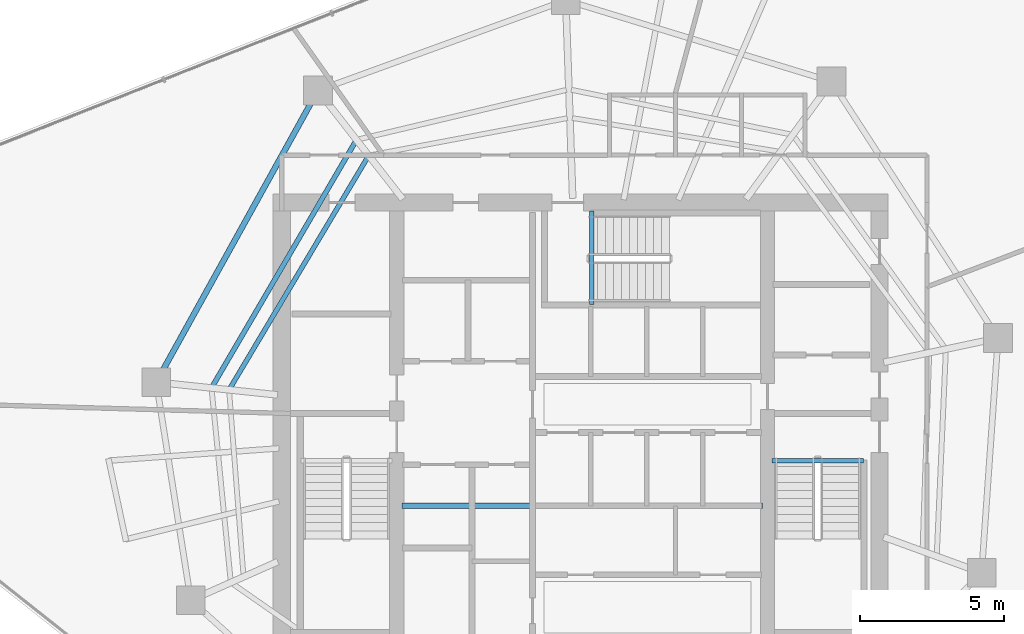
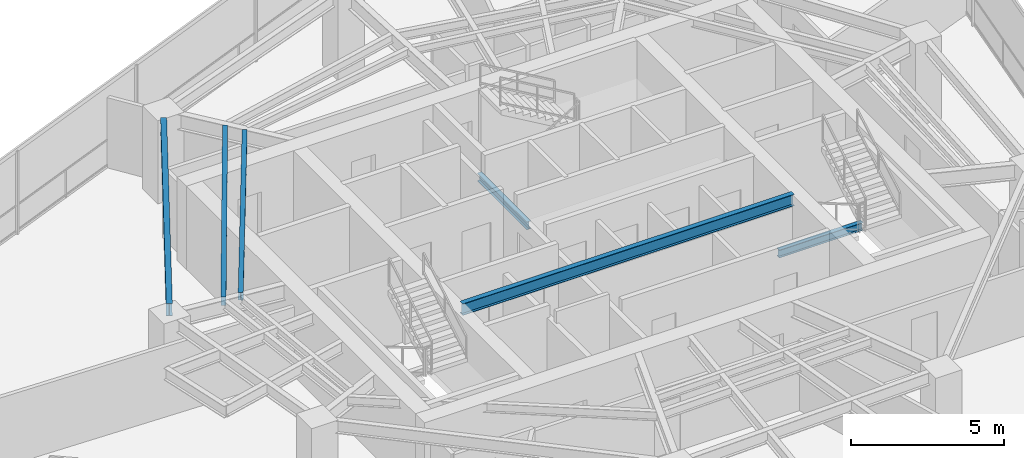
# One storey, part 6 of 20: 6 beams.
"""IFC4 building model written with IfcOpenShell, lengths in metres."""

from ifc_helpers import new_model, si_unit, direction, frame, origin, origin_2d, place, context, subcontext, project, spatial, i_section, extrude, material, material_profile, profile_set, type_object, element, save


model = new_model("IFC4")

# Units and contexts
model_context = context("Model", 3, precision=1e-05, world=origin(), true_north=direction((0.0, 1.0)))
body_context = subcontext(model_context, "Body", "Model", "MODEL_VIEW")
ifc_project = project(units=[si_unit("LENGTHUNIT", "METRE"), si_unit("AREAUNIT", "SQUARE_METRE"), si_unit("VOLUMEUNIT", "CUBIC_METRE"), si_unit("PLANEANGLEUNIT", "RADIAN"), si_unit("MASSUNIT", "GRAM", prefix="KILO")], contexts=[model_context])

# Site, building, storey
site_placement = place(None, origin())
site = spatial("IfcSite", under=ifc_project, at=site_placement, CompositionType="ELEMENT")
building_placement = place(site_placement, origin())
building = spatial("IfcBuilding", under=site, at=building_placement, Name="Qarnah Convention Tower", CompositionType="ELEMENT")
storey_placement = place(building_placement, frame((0.0, 0.0, 147.300048828125)))
storey = spatial("IfcBuildingStorey", under=building, at=storey_placement, Name="L39", CompositionType="ELEMENT", Elevation=147.300048828125)

# Beams
ifc_material = material(Name="Structural steel S355JR", Category="steel")
ifc_material_profile_1 = material_profile(ifc_material, i_section(OverallWidth=0.19189453125, OverallDepth=0.464111328125, WebThickness=0.010986328125, FlangeThickness=0.01806640625, at=origin_2d()), Name="W460X89")
ifc_profile_set_1 = profile_set([ifc_material_profile_1], Name="Structural steel S355JR")
beam_type_1 = type_object("IfcBeamType", Name="BM-CANT-W460A", PredefinedType="BEAM", material=ifc_profile_set_1)
beam_1_placement = place(storey_placement, frame((30.97998046875, 23.64990234375, 3.087890625), z_axis=(1.0, 0.0, 0.0), x_axis=(0.0, 1.0, 0.0)))
element("IfcBeam", 1, at=beam_1_placement, inside=storey, type_object=beam_type_1, Name="L39 beam BM-L39-KC1", PredefinedType="BEAM", context=body_context, shape_type="SweptSolid", body=[
    extrude(i_section(OverallWidth=0.19189453125, OverallDepth=0.464111328125, WebThickness=0.010986328125, FlangeThickness=0.01806640625, at=origin_2d()), origin(), (0.0, 0.0, 1.0), 12.5400390625),
])
ifc_material_profile_2 = material_profile(ifc_material, i_section(OverallWidth=0.166015625, OverallDepth=0.31201171875, WebThickness=0.007080078125, FlangeThickness=0.010986328125, at=origin_2d()), Name="W310X45")
ifc_profile_set_2 = profile_set([ifc_material_profile_2], Name="Structural steel S355JR")
beam_type_2 = type_object("IfcBeamType", Name="BM-JST-W310", PredefinedType="JOIST", material=ifc_profile_set_2)
beam_2_placement = place(storey_placement, frame((43.860107421875, 25.217041015625, -0.156005859375), z_axis=(1.0, 0.0, 0.0), x_axis=(0.0, 1.0, 0.0)))
element("IfcBeam", 2, at=beam_2_placement, inside=storey, type_object=beam_type_2, Name="L39 stair landing trimmer beam BM-L39-ST2-TRM", PredefinedType="BEAM", context=body_context, shape_type="SweptSolid", body=[
    extrude(i_section(OverallWidth=0.166015625, OverallDepth=0.31201171875, WebThickness=0.007080078125, FlangeThickness=0.010986328125, at=origin_2d()), origin(), (0.0, 0.0, 1.0), 3.179931640625),
])
beam_3_placement = place(storey_placement, frame((37.5830078125, 30.659912109375, -0.156005859375), z_axis=(0.0, 1.0, 0.0), x_axis=(-1.0, 0.0, 0.0)))
element("IfcBeam", 3, at=beam_3_placement, inside=storey, type_object=beam_type_2, Name="L39 stair landing trimmer beam BM-L39-ST3-TRM", PredefinedType="BEAM", context=body_context, shape_type="SweptSolid", body=[
    extrude(i_section(OverallWidth=0.166015625, OverallDepth=0.31201171875, WebThickness=0.007080078125, FlangeThickness=0.010986328125, at=origin_2d()), origin(), (0.0, 0.0, 1.0), 3.239990234375),
])
beam_4_placement = place(storey_placement, frame((29.779052734375, 35.761962890625, 3.1640625), z_axis=(-0.51201841679, -0.85897447044, 0.0), x_axis=(0.85897447044, -0.51201841679, 0.0)))
element("IfcBeam", 4, at=beam_4_placement, inside=storey, type_object=beam_type_2, Name="L39 joist BM-L39-IJST-04", PredefinedType="JOIST", context=body_context, shape_type="SweptSolid", body=[
    extrude(i_section(OverallWidth=0.166015625, OverallDepth=0.31201171875, WebThickness=0.007080078125, FlangeThickness=0.010986328125, at=origin_2d()), origin(), (0.0, 0.0, 1.0), 9.312255859375),
])
ifc_material_profile_3 = material_profile(ifc_material, i_section(OverallWidth=0.172119140625, OverallDepth=0.35595703125, WebThickness=0.007080078125, FlangeThickness=0.011962890625, at=origin_2d()), Name="W360X51")
ifc_profile_set_3 = profile_set([ifc_material_profile_3], Name="Structural steel S355JR")
beam_type_3 = type_object("IfcBeamType", Name="BM-JST-W360", PredefinedType="JOIST", material=ifc_profile_set_3)
beam_5_placement = place(storey_placement, frame((29.35400390625, 36.306884765625, 3.141845703125), z_axis=(-0.50462817984, -0.863336782554, 0.0), x_axis=(0.863336782554, -0.50462817984, 0.0)))
element("IfcBeam", 5, at=beam_5_placement, inside=storey, type_object=beam_type_3, Name="L39 joist BM-L39-SJST-04", PredefinedType="JOIST", context=body_context, shape_type="SweptSolid", body=[
    extrude(i_section(OverallWidth=0.172119140625, OverallDepth=0.35595703125, WebThickness=0.007080078125, FlangeThickness=0.011962890625, at=origin_2d()), origin(), (0.0, 0.0, 1.0), 9.8212890625),
])
ifc_material_profile_4 = material_profile(ifc_material, i_section(OverallWidth=0.199951171875, OverallDepth=0.5, WebThickness=0.010009765625, FlangeThickness=0.01611328125, at=origin_2d()), Name="IPE500")
ifc_profile_set_4 = profile_set([ifc_material_profile_4], Name="Structural steel S355JR")
beam_type_4 = type_object("IfcBeamType", Name="BM-SPN-IPE500", PredefinedType="SPANDREL", material=ifc_profile_set_4)
beam_6_placement = place(storey_placement, frame((27.819091796875, 37.673095703125, 3.070068359375), z_axis=(-0.48477441757, -0.874639219375, 0.0), x_axis=(0.874639219375, -0.48477441757, 0.0)))
element("IfcBeam", 6, at=beam_6_placement, inside=storey, type_object=beam_type_4, Name="L39 spandrel BM-L39-SPN-04", PredefinedType="SPANDREL", context=body_context, shape_type="SweptSolid", body=[
    extrude(i_section(OverallWidth=0.199951171875, OverallDepth=0.5, WebThickness=0.010009765625, FlangeThickness=0.01611328125, at=origin_2d()), origin(), (0.0, 0.0, 1.0), 10.623779296875),
])

save(model, "model.ifc")
